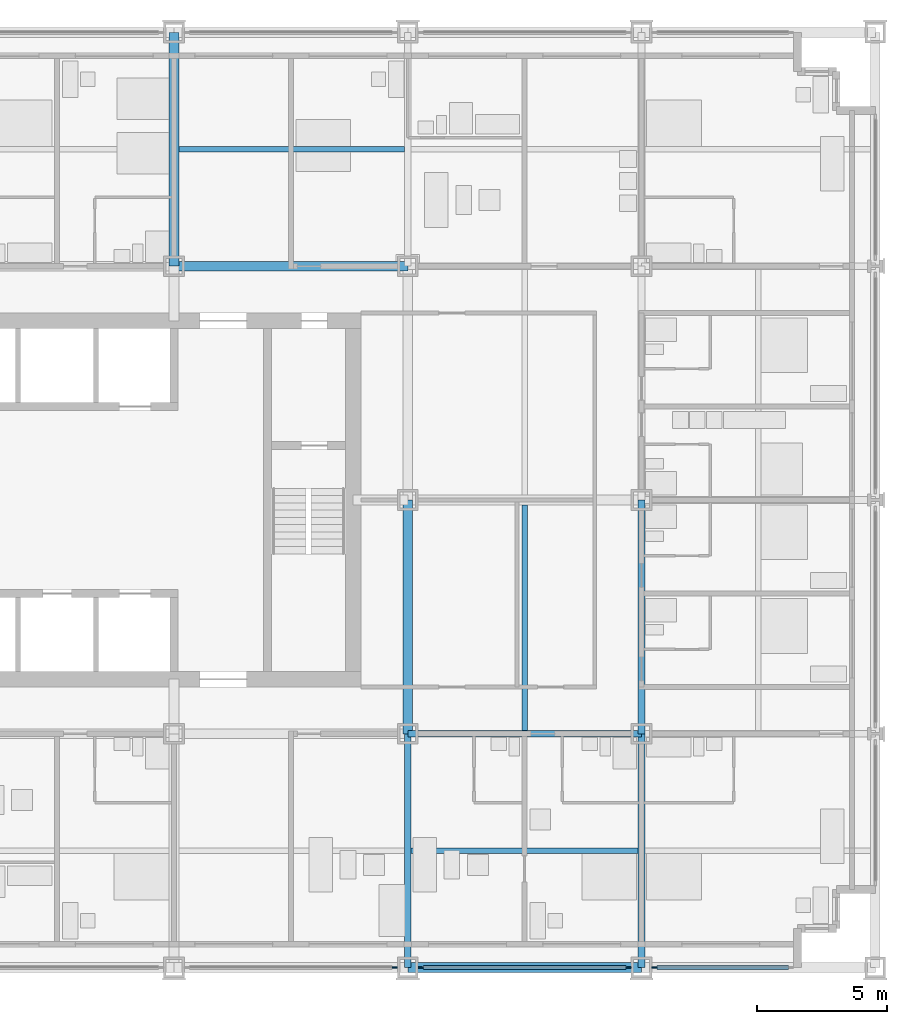
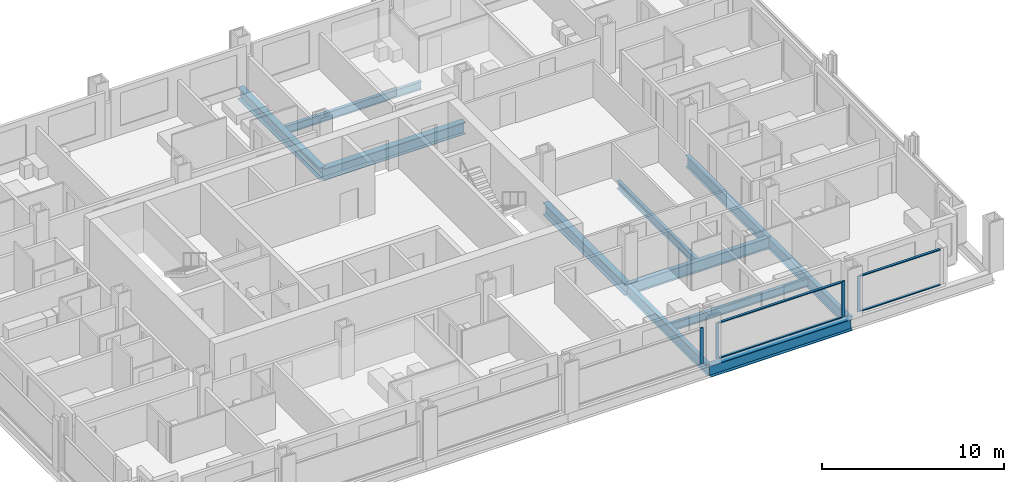
# One storey, part 5 of 18: 11 beams, 8 members, 3 elements without a shape of their own.
"""IFC4 building model written with IfcOpenShell, lengths in metres."""

from ifc_helpers import new_model, si_unit, direction, frame, origin, origin_2d, place, context, subcontext, project, spatial, rectangle, i_section, extrude, material, material_profile, profile_set, type_object, element, aggregate, save


model = new_model("IFC4")

# Units and contexts
model_context = context("Model", 3, precision=1e-05, world=origin(), true_north=direction((0.0, 1.0)))
body_context = subcontext(model_context, "Body", "Model", "MODEL_VIEW")
ifc_project = project(units=[si_unit("LENGTHUNIT", "METRE"), si_unit("AREAUNIT", "SQUARE_METRE"), si_unit("VOLUMEUNIT", "CUBIC_METRE"), si_unit("PLANEANGLEUNIT", "RADIAN"), si_unit("MASSUNIT", "GRAM", prefix="KILO")], contexts=[model_context])

# Site, building, storey
site_placement = place(None, origin())
site = spatial("IfcSite", under=ifc_project, at=site_placement, CompositionType="ELEMENT")
building_placement = place(site_placement, origin())
building = spatial("IfcBuilding", under=site, at=building_placement, Name="Loomwork Tower", CompositionType="ELEMENT")
storey_placement = place(building_placement, frame((0.0, 0.0, 51.800048828125)))
storey = spatial("IfcBuildingStorey", under=building, at=storey_placement, Name="L12", CompositionType="ELEMENT", Elevation=51.800048828125)

# Beams
ifc_material_1 = material(Name="Steel ASTM A992", Category="steel")
ifc_material_profile_1 = material_profile(ifc_material_1, i_section(OverallWidth=0.383544921875, OverallDepth=0.794921875, WebThickness=0.02099609375, FlangeThickness=0.0380859375, at=origin_2d()), Name="W30x235")
ifc_profile_set_1 = profile_set([ifc_material_profile_1], Name="Steel ASTM A992")
beam_type_1 = type_object("IfcBeamType", Name="CORE FLANK GIRDER W30x235", PredefinedType="BEAM", material=ifc_profile_set_1)
for number, where, z_axis, x_axis, name in (
    (1, (27.0, 27.0, -0.59765625), (1.0, 0.0, 0.0), (0.0, 1.0, 0.0), "Core Flank Girder G/5-G/6 L12"),
    (2, (27.0, 27.0, -0.59765625), (0.0, 1.0, 0.0), (-1.0, 0.0, 0.0), "Core Flank Girder G/5-H/5 L12"),
    (3, (36.0, 9.0, -0.59765625), (0.0, 1.0, 0.0), (-1.0, 0.0, 0.0), "Core Flank Girder E/6-F/6 L12"),
):
    element("IfcBeam", number, at=place(storey_placement, frame(where, z_axis=z_axis, x_axis=x_axis)), inside=storey, type_object=beam_type_1, Name=name, PredefinedType="BEAM", context=body_context, shape_type="SweptSolid", body=[
        extrude(i_section(OverallWidth=0.383544921875, OverallDepth=0.794921875, WebThickness=0.02099609375, FlangeThickness=0.0380859375, at=origin_2d()), origin(), (0.0, 0.0, 1.0), 9.0),
    ])
ifc_material_2 = material(Name="Steel ASTM A992", Category="steel")
ifc_material_profile_2 = material_profile(ifc_material_2, i_section(OverallWidth=0.2666015625, OverallDepth=0.761962890625, WebThickness=0.014404296875, FlangeThickness=0.021484375, at=origin_2d()), Name="W30x116")
ifc_profile_set_2 = profile_set([ifc_material_profile_2], Name="Steel ASTM A992")
beam_type_2 = type_object("IfcBeamType", Name="FLOOR GIRDER W30x116", PredefinedType="BEAM", material=ifc_profile_set_2)
for number, where, z_axis, x_axis, name in (
    (4, (36.0, 9.0, -0.5810546875), (1.0, 0.0, 0.0), (0.0, 1.0, 0.0), "Floor Girder E/6-E/7 L12"),
    (5, (36.0, 0.0, -0.5810546875), (0.0, 1.0, 0.0), (-1.0, 0.0, 0.0), "Floor Girder D/6-E/6 L12"),
    (6, (45.0, 0.0, -0.5810546875), (0.0, 1.0, 0.0), (-1.0, 0.0, 0.0), "Floor Girder D/7-E/7 L12"),
    (7, (45.0, 9.0, -0.5810546875), (0.0, 1.0, 0.0), (-1.0, 0.0, 0.0), "Floor Girder E/7-F/7 L12"),
):
    element("IfcBeam", number, at=place(storey_placement, frame(where, z_axis=z_axis, x_axis=x_axis)), inside=storey, type_object=beam_type_2, Name=name, PredefinedType="BEAM", context=body_context, shape_type="SweptSolid", body=[
        extrude(i_section(OverallWidth=0.2666015625, OverallDepth=0.761962890625, WebThickness=0.014404296875, FlangeThickness=0.021484375, at=origin_2d()), origin(), (0.0, 0.0, 1.0), 9.0),
    ])
ifc_material_3 = material(Name="Steel ASTM A992", Category="steel")
ifc_material_profile_3 = material_profile(ifc_material_3, i_section(OverallWidth=0.2109375, OverallDepth=0.53857421875, WebThickness=0.011474609375, FlangeThickness=0.018798828125, at=origin_2d()), Name="W21x73")
ifc_profile_set_3 = profile_set([ifc_material_profile_3], Name="Steel ASTM A992")
beam_type_3 = type_object("IfcBeamType", Name="FLOOR JOIST W21x73", PredefinedType="JOIST", material=ifc_profile_set_3)
beam_1_placement = place(storey_placement, frame((27.19091796875, 31.5, -0.46923828125), z_axis=(1.0, 0.0, 0.0), x_axis=(0.0, 1.0, 0.0)))
element("IfcBeam", 8, at=beam_1_placement, inside=storey, type_object=beam_type_3, Name="Floor Joist 27.000,31.500-36.000,31.500 L12", PredefinedType="JOIST", context=body_context, shape_type="SweptSolid", body=[
    extrude(i_section(OverallWidth=0.2109375, OverallDepth=0.53857421875, WebThickness=0.011474609375, FlangeThickness=0.018798828125, at=origin_2d()), origin(), (0.0, 0.0, 1.0), 8.676025390625),
])
beam_2_placement = place(storey_placement, frame((36.133056640625, 4.5, -0.46923828125), z_axis=(1.0, 0.0, 0.0), x_axis=(0.0, 1.0, 0.0)))
element("IfcBeam", 9, at=beam_2_placement, inside=storey, type_object=beam_type_3, Name="Floor Joist 36.000,4.500-45.000,4.500 L12", PredefinedType="JOIST", context=body_context, shape_type="SweptSolid", body=[
    extrude(i_section(OverallWidth=0.2109375, OverallDepth=0.53857421875, WebThickness=0.011474609375, FlangeThickness=0.018798828125, at=origin_2d()), origin(), (0.0, 0.0, 1.0), 8.73388671875),
])
beam_3_placement = place(storey_placement, frame((40.5, 9.133056640625, -0.46923828125), z_axis=(0.0, 1.0, 0.0), x_axis=(-1.0, 0.0, 0.0)))
element("IfcBeam", 10, at=beam_3_placement, inside=storey, type_object=beam_type_3, Name="Floor Joist 40.500,9.000-40.500,18.000 L12", PredefinedType="JOIST", context=body_context, shape_type="SweptSolid", body=[
    extrude(i_section(OverallWidth=0.2109375, OverallDepth=0.53857421875, WebThickness=0.011474609375, FlangeThickness=0.018798828125, at=origin_2d()), origin(), (0.0, 0.0, 1.0), 8.676025390625),
])

# Curtain wall, member
ifc_material_4 = material(Name="Aluminium curtain wall frame", Category="aluminium")
curtain_wall_type = type_object("IfcCurtainWallType", Name="Outer skin glazing hotel", PredefinedType="NOTDEFINED", material=ifc_material_4)
curtain_wall_1_placement = place(storey_placement, origin())
curtain_wall_1 = element("IfcCurtainWall", 11, at=curtain_wall_1_placement, inside=storey, type_object=curtain_wall_type, Name="Outer skin glazing hotel cw/S-27", PredefinedType="NOTDEFINED")
ifc_material_5 = material(Name="Aluminium curtain wall frame", Category="aluminium")
ifc_material_profile_4 = material_profile(ifc_material_5, rectangle(XDim=0.06494140625, YDim=0.199951171875, at=origin_2d()), Name="AL 65x200")
ifc_profile_set_4 = profile_set([ifc_material_profile_4], Name="Aluminium curtain wall frame")
member_type_1 = type_object("IfcMemberType", Name="Outer skin glazing hotel mullion", PredefinedType="MULLION", material=ifc_profile_set_4)
member_1_placement = place(storey_placement, frame((35.5, 0.0, 0.0), z_axis=(0.0, 0.0, 1.0), x_axis=(0.0, 1.0, 0.0)))
member_1 = element("IfcMember", 12, at=member_1_placement, type_object=member_type_1, Name="CW1 mullion 2", PredefinedType="MULLION", context=body_context, shape_type="SweptSolid", body=[
    extrude(rectangle(XDim=0.06494140625, YDim=0.199951171875, at=origin_2d()), origin(), (0.0, 0.0, 1.0), 2.420166015625),
])
aggregate(curtain_wall_1, [member_1])

# Curtain wall, members
curtain_wall_2_placement = place(storey_placement, origin())
curtain_wall_2 = element("IfcCurtainWall", 13, at=curtain_wall_2_placement, inside=storey, type_object=curtain_wall_type, Name="Outer skin glazing hotel cw/S-36", PredefinedType="NOTDEFINED")
member_2_placement = place(storey_placement, frame((36.5, 0.0, 0.0), z_axis=(0.0, 0.0, 1.0), x_axis=(0.0, 1.0, 0.0)))
member_2 = element("IfcMember", 14, at=member_2_placement, type_object=member_type_1, Name="CW1 mullion 1", PredefinedType="MULLION", context=body_context, shape_type="SweptSolid", body=[
    extrude(rectangle(XDim=0.06494140625, YDim=0.199951171875, at=origin_2d()), origin(), (0.0, 0.0, 1.0), 2.420166015625),
])
member_3_placement = place(storey_placement, frame((44.5, 0.0, 0.0), z_axis=(0.0, 0.0, 1.0), x_axis=(0.0, 1.0, 0.0)))
member_3 = element("IfcMember", 15, at=member_3_placement, type_object=member_type_1, Name="CW1 mullion 2", PredefinedType="MULLION", context=body_context, shape_type="SweptSolid", body=[
    extrude(rectangle(XDim=0.06494140625, YDim=0.199951171875, at=origin_2d()), origin(), (0.0, 0.0, 1.0), 2.420166015625),
])

# Curtain wall, member
curtain_wall_3_placement = place(storey_placement, origin())
curtain_wall_3 = element("IfcCurtainWall", 16, at=curtain_wall_3_placement, inside=storey, type_object=curtain_wall_type, Name="Outer skin glazing hotel cw/S-45", PredefinedType="NOTDEFINED")
member_4_placement = place(storey_placement, frame((45.5, 0.0, 0.0), z_axis=(0.0, 0.0, 1.0), x_axis=(0.0, 1.0, 0.0)))
member_4 = element("IfcMember", 17, at=member_4_placement, type_object=member_type_1, Name="CW1 mullion 1", PredefinedType="MULLION", context=body_context, shape_type="SweptSolid", body=[
    extrude(rectangle(XDim=0.06494140625, YDim=0.199951171875, at=origin_2d()), origin(), (0.0, 0.0, 1.0), 2.420166015625),
])

# Member
ifc_material_6 = material(Name="Aluminium curtain wall frame", Category="aluminium")
ifc_material_profile_5 = material_profile(ifc_material_6, rectangle(XDim=0.14990234375, YDim=0.06494140625, at=origin_2d()), Name="AL 65x150")
ifc_profile_set_5 = profile_set([ifc_material_profile_5], Name="Aluminium curtain wall frame")
member_type_2 = type_object("IfcMemberType", Name="Outer skin glazing hotel transom", PredefinedType="USERDEFINED", material=ifc_profile_set_5)
member_5_placement = place(storey_placement, frame((36.60009765625, 0.0, 0.032470703125), z_axis=(1.0, 0.0, 0.0), x_axis=(0.0, 1.0, 0.0)))
member_5 = element("IfcMember", 18, at=member_5_placement, type_object=member_type_2, Name="CW1 transom 1.1", ObjectType="TRANSOM", PredefinedType="USERDEFINED", context=body_context, shape_type="SweptSolid", body=[
    extrude(rectangle(XDim=0.14990234375, YDim=0.06494140625, at=origin_2d()), origin(), (0.0, 0.0, 1.0), 7.7998046875),
])

member_6_placement = place(storey_placement, frame((36.60009765625, 0.0, 2.3876953125), z_axis=(1.0, 0.0, 0.0), x_axis=(0.0, 1.0, 0.0)))
member_6 = element("IfcMember", 19, at=member_6_placement, type_object=member_type_2, Name="CW1 transom 1.2", ObjectType="TRANSOM", PredefinedType="USERDEFINED", context=body_context, shape_type="SweptSolid", body=[
    extrude(rectangle(XDim=0.14990234375, YDim=0.06494140625, at=origin_2d()), origin(), (0.0, 0.0, 1.0), 7.7998046875),
])

aggregate(curtain_wall_2, [member_2, member_3, member_5, member_6])

member_7_placement = place(storey_placement, frame((45.60009765625, 0.0, 0.032470703125), z_axis=(1.0, 0.0, 0.0), x_axis=(0.0, 1.0, 0.0)))
member_7 = element("IfcMember", 20, at=member_7_placement, type_object=member_type_2, Name="CW1 transom 1.1", ObjectType="TRANSOM", PredefinedType="USERDEFINED", context=body_context, shape_type="SweptSolid", body=[
    extrude(rectangle(XDim=0.14990234375, YDim=0.06494140625, at=origin_2d()), origin(), (0.0, 0.0, 1.0), 5.0498046875),
])

member_8_placement = place(storey_placement, frame((45.60009765625, 0.0, 2.3876953125), z_axis=(1.0, 0.0, 0.0), x_axis=(0.0, 1.0, 0.0)))
member_8 = element("IfcMember", 21, at=member_8_placement, type_object=member_type_2, Name="CW1 transom 1.2", ObjectType="TRANSOM", PredefinedType="USERDEFINED", context=body_context, shape_type="SweptSolid", body=[
    extrude(rectangle(XDim=0.14990234375, YDim=0.06494140625, at=origin_2d()), origin(), (0.0, 0.0, 1.0), 5.0498046875),
])

aggregate(curtain_wall_3, [member_4, member_7, member_8])

# Beam
ifc_material_7 = material(Name="Steel ASTM A992", Category="steel")
ifc_material_profile_6 = material_profile(ifc_material_7, i_section(OverallWidth=0.381103515625, OverallDepth=0.77978515625, WebThickness=0.01806640625, FlangeThickness=0.0302734375, at=origin_2d()), Name="W30x191")
ifc_profile_set_6 = profile_set([ifc_material_profile_6], Name="Steel ASTM A992")
beam_type_4 = type_object("IfcBeamType", Name="SPANDREL GIRDER W30x191", PredefinedType="SPANDREL", material=ifc_profile_set_6)
beam_4_placement = place(storey_placement, frame((36.0, 0.0, -0.58984375), z_axis=(1.0, 0.0, 0.0), x_axis=(0.0, 1.0, 0.0)))
element("IfcBeam", 22, at=beam_4_placement, inside=storey, type_object=beam_type_4, Name="Spandrel Girder D/6-D/7 L12", PredefinedType="SPANDREL", context=body_context, shape_type="SweptSolid", body=[
    extrude(i_section(OverallWidth=0.381103515625, OverallDepth=0.77978515625, WebThickness=0.01806640625, FlangeThickness=0.0302734375, at=origin_2d()), origin(), (0.0, 0.0, 1.0), 9.0),
])

save(model, "model.ifc")
